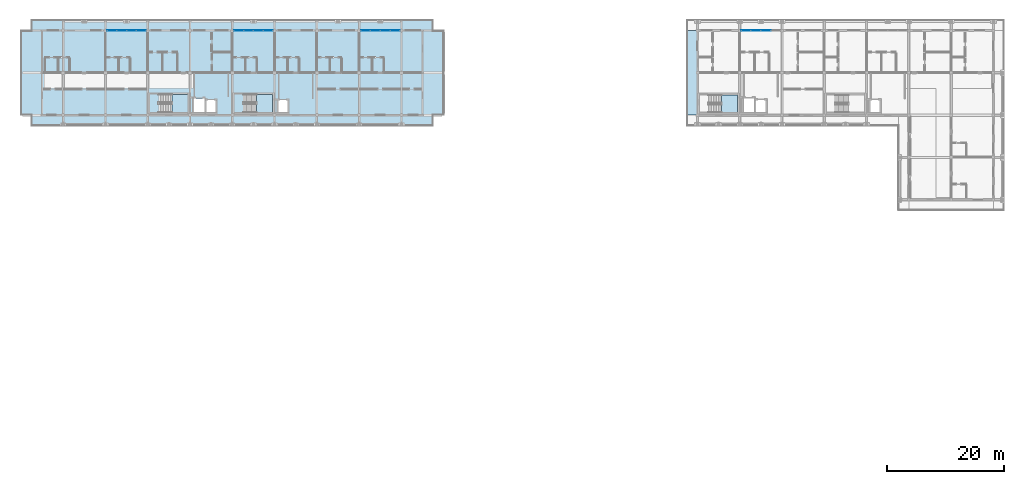
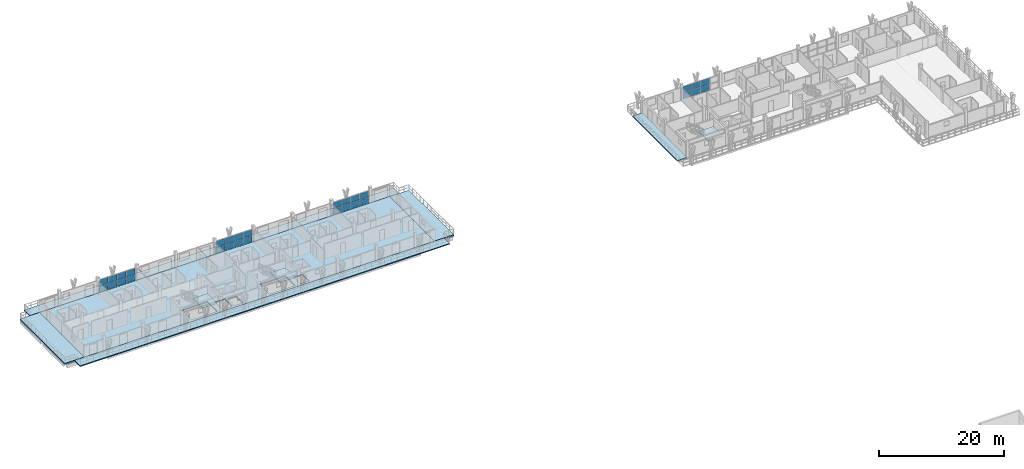
# One storey, part 23 of 45: 30 plates, 9 slabs, 7 elements without a shape of their own.
"""IFC4 building model written with IfcOpenShell, lengths in metres."""

import ifcopenshell
import ifcopenshell.guid

model = None  # the IFC model being written
_history = None  # IfcOwnerHistory: only IFC2X3 demands one
_inside = {}  # id of a spatial element -> (the spatial element, [elements in it])
_under = {}  # id of a project, library or spatial element -> (it, [spatial elements below it])
_declared = {}  # id of a project -> (the project, [libraries it declares])
_typed = {}  # id of a type object -> (the type object, [elements of that type])
_made_of = {}  # id of a material, layer set ... -> (it, [elements and type objects made of it])


def new_model(schema):
    """Start an empty IFC model of exactly this schema.

    Asked for "IFC4X3", IfcOpenShell would pick the latest addendum, in which some entities
    have other attributes; the version numbers below select the first issue.
    IFC2X3 requires an IfcOwnerHistory on every rooted entity: one is made here for all.
    """
    global model, _history
    if schema == "IFC4X3":
        model = ifcopenshell.file(schema_version=(4, 3, 0, 0))
    else:
        model = ifcopenshell.file(schema=schema)
    _inside.clear()
    _under.clear()
    _declared.clear()
    _typed.clear()
    _made_of.clear()
    _history = None
    if model.schema == "IFC2X3":
        org = make("IfcOrganization", Name="unknown")
        user = make(
            "IfcPersonAndOrganization",
            ThePerson=make("IfcPerson", FamilyName="unknown"),
            TheOrganization=org,
        )
        app = make(
            "IfcApplication",
            ApplicationDeveloper=org,
            Version="unknown",
            ApplicationFullName="unknown",
            ApplicationIdentifier="unknown",
        )
        _history = make(
            "IfcOwnerHistory",
            OwningUser=user,
            OwningApplication=app,
            ChangeAction="ADDED",
            CreationDate=0,
        )
    return model


def make(cls, **values):
    """One entity of the class cls with the attributes given. An attribute that is None is left unset."""
    return model.create_entity(
        cls, **{name: value for name, value in values.items() if value is not None}
    )


def rooted(cls, **values):
    """An entity with a GlobalId (a new one), such as an element, a storey or a relation."""
    return make(cls, GlobalId=ifcopenshell.guid.new(), OwnerHistory=_history, **values)


def si_unit(unit_type, name, prefix=None):
    """IfcSIUnit, for example si_unit("LENGTHUNIT", "METRE", prefix="MILLI")."""
    return make("IfcSIUnit", UnitType=unit_type, Prefix=prefix, Name=name)


def assignment(units):
    """IfcUnitAssignment: the units of a project."""
    return None if units is None else make("IfcUnitAssignment", Units=units)


def point(xyz):
    """IfcCartesianPoint."""
    return None if xyz is None else make("IfcCartesianPoint", Coordinates=xyz)


def direction(xyz):
    """IfcDirection."""
    return None if xyz is None else make("IfcDirection", DirectionRatios=xyz)


def frame(location, z_axis=None, x_axis=None):
    """IfcAxis2Placement3D, a coordinate frame: its origin and axes. An axis left out is left unset."""
    return make(
        "IfcAxis2Placement3D",
        Location=point(location),
        Axis=direction(z_axis),
        RefDirection=direction(x_axis),
    )


def frame_2d(location, x_axis=None):
    """IfcAxis2Placement2D, a coordinate frame in the plane: its origin and x axis."""
    return make(
        "IfcAxis2Placement2D", Location=point(location), RefDirection=direction(x_axis)
    )


def origin():
    """The frame at (0, 0, 0) with its axes left unset."""
    return frame((0.0, 0.0, 0.0))


def origin_2d():
    """The frame at (0, 0) in the plane with its x axis left unset."""
    return frame_2d((0.0, 0.0))


def place(relative_to, where):
    """IfcLocalPlacement: puts the frame where relative to a parent placement (None: the world)."""
    return make(
        "IfcLocalPlacement", PlacementRelTo=relative_to, RelativePlacement=where
    )


def context(
    kind, dimensions, precision=None, world=None, true_north=None, identifier=None
):
    """IfcGeometricRepresentationContext, for example the 3D "Model" context."""
    return make(
        "IfcGeometricRepresentationContext",
        ContextIdentifier=identifier,
        ContextType=kind,
        CoordinateSpaceDimension=dimensions,
        Precision=precision,
        WorldCoordinateSystem=world,
        TrueNorth=true_north,
    )


def subcontext(parent, identifier, kind, view, scale=None):
    """IfcGeometricRepresentationSubContext, for example "Body" below "Model"."""
    return make(
        "IfcGeometricRepresentationSubContext",
        ContextIdentifier=identifier,
        ContextType=kind,
        ParentContext=parent,
        TargetScale=scale,
        TargetView=view,
    )


def project(units=None, contexts=None):
    """IfcProject with its units and contexts."""
    return rooted(
        "IfcProject",
        Name="project",
        RepresentationContexts=contexts,
        UnitsInContext=assignment(units),
    )


def spatial(cls, under=None, at=None, **own):
    """A site, building, storey or space (cls), placed at a placement, below another one or the project."""
    s = rooted(cls, ObjectPlacement=at, **own)
    if under is not None:
        _under.setdefault(under.id(), (under, []))[1].append(s)
    return s


def polyline(points):
    """IfcPolyline through the points."""
    return make("IfcPolyline", Points=[point(p) for p in points])


def profile(cls, at=None, kind="AREA", **sizes):
    """A parametric profile (cls). Its sizes go by their IFC names, for example OverallWidth=200.0."""
    return make(cls, ProfileType=kind, Position=at, **sizes)


def rectangle(**sizes):
    """IfcRectangleProfileDef."""
    return profile("IfcRectangleProfileDef", **sizes)


def outline(outer, holes=None, kind="AREA"):
    """IfcArbitraryClosedProfileDef: a profile drawn as a closed curve; with holes, ...WithVoids."""
    if holes is None:
        return make("IfcArbitraryClosedProfileDef", ProfileType=kind, OuterCurve=outer)
    return make(
        "IfcArbitraryProfileDefWithVoids",
        ProfileType=kind,
        OuterCurve=outer,
        InnerCurves=holes,
    )


def extrude(swept, where, along, depth):
    """IfcExtrudedAreaSolid: the profile swept, set in the frame where, extruded along a direction by depth."""
    return make(
        "IfcExtrudedAreaSolid",
        SweptArea=swept,
        Position=where,
        ExtrudedDirection=direction(along),
        Depth=depth,
    )


def shape(context_of_items, identifier, shape_type, items):
    """IfcShapeRepresentation: the items that make up one representation, for example the "Body"."""
    return make(
        "IfcShapeRepresentation",
        ContextOfItems=context_of_items,
        RepresentationIdentifier=identifier,
        RepresentationType=shape_type,
        Items=items,
    )


def material(Name=None, Category=None):
    """IfcMaterial."""
    return make("IfcMaterial", Name=Name, Category=Category)


def layer(
    of_material, thickness, ventilated=None, Name=None, Category=None, Priority=None
):
    """IfcMaterialLayer: one layer of a wall or slab, of a material (None: an air gap)."""
    return make(
        "IfcMaterialLayer",
        Material=of_material,
        LayerThickness=thickness,
        IsVentilated=ventilated,
        Name=Name,
        Category=Category,
        Priority=Priority,
    )


def layer_set(layers, Name=None):
    """IfcMaterialLayerSet."""
    return make("IfcMaterialLayerSet", MaterialLayers=layers, LayerSetName=Name)


def made_of(thing, what):
    """Note that an element or type object is made of a material, layer set ...; save() writes the relation."""
    if what is not None:
        _made_of.setdefault(what.id(), (what, []))[1].append(thing)
    return thing


def type_object(cls, material=None, **own):
    """A type object (cls), such as IfcWallType, which elements share."""
    return made_of(rooted(cls, **own), material)


def element(
    cls,
    number,
    at=None,
    inside=None,
    cuts=None,
    type_object=None,
    material=None,
    context=None,
    identifier="Body",
    shape_type=None,
    held_by="IfcProductDefinitionShape",
    body=None,
    shapes=None,
    **own,
):
    """One element of the class cls, such as IfcWall. Its Tag is "e" and its number.

    at: its placement. inside: the storey or other place that contains it. cuts: it is an
    opening in that element (IfcRelVoidsElement). A single representation is given by context,
    identifier, shape_type and body (its items); several are given by shapes. held_by: the class
    of the entity that holds the representations. save() writes the other relations.
    """
    e = rooted(cls, Tag="e%d" % number, ObjectPlacement=at, **own)
    if body is not None:
        shapes = [shape(context, identifier, shape_type, body)]
    if shapes is not None:
        e.Representation = make(held_by, Representations=shapes)
    if inside is not None:
        _inside.setdefault(inside.id(), (inside, []))[1].append(e)
    if cuts is not None:
        rooted(
            "IfcRelVoidsElement", RelatingBuildingElement=cuts, RelatedOpeningElement=e
        )
    if type_object is not None:
        _typed.setdefault(type_object.id(), (type_object, []))[1].append(e)
    return made_of(e, material)


def aggregate(whole, parts):
    """IfcRelAggregates: a whole, such as a stair, and the parts it consists of."""
    return rooted("IfcRelAggregates", RelatingObject=whole, RelatedObjects=parts)


def save(model, path):
    """Write the relations noted so far, then the file.

    IfcRelAggregates (storeys below a building ...), IfcRelContainedInSpatialStructure (elements
    in a storey), IfcRelDefinesByType, IfcRelAssociatesMaterial and IfcRelDeclares: one each for
    every whole, place, type object, material and project.
    """
    for whole, parts in _under.values():
        aggregate(whole, parts)
    for where, things in _inside.values():
        rooted(
            "IfcRelContainedInSpatialStructure",
            RelatedElements=things,
            RelatingStructure=where,
        )
    for kind, things in _typed.values():
        rooted("IfcRelDefinesByType", RelatedObjects=things, RelatingType=kind)
    for what, things in _made_of.values():
        rooted("IfcRelAssociatesMaterial", RelatedObjects=things, RelatingMaterial=what)
    for by, libraries in _declared.values():
        rooted("IfcRelDeclares", RelatingContext=by, RelatedDefinitions=libraries)
    model.write(path)


model = new_model("IFC4")

# Units and contexts
model_context = context("Model", 3, precision=1e-05, world=origin(), true_north=direction((0.0, 1.0)))
body_context = subcontext(model_context, "Body", "Model", "MODEL_VIEW")
ifc_project = project(units=[si_unit("LENGTHUNIT", "METRE"), si_unit("AREAUNIT", "SQUARE_METRE"), si_unit("VOLUMEUNIT", "CUBIC_METRE"), si_unit("PLANEANGLEUNIT", "RADIAN"), si_unit("MASSUNIT", "GRAM", prefix="KILO")], contexts=[model_context])

# Site, building, storey
site_placement = place(None, origin())
site = spatial("IfcSite", under=ifc_project, at=site_placement, CompositionType="ELEMENT")
building_placement = place(site_placement, origin())
building = spatial("IfcBuilding", under=site, at=building_placement, Name="Suanplinth Sawtooth Commons", CompositionType="ELEMENT")
storey_placement = place(building_placement, frame((0.0, 0.0, 38.0)))
storey = spatial("IfcBuildingStorey", under=building, at=storey_placement, Name="L11", CompositionType="ELEMENT", Elevation=38.0)

# Curtain wall, plates
ifc_material_1 = material(Name="Anodized aluminium and low-E glazing", Category="aluminium")
curtain_wall_type = type_object("IfcCurtainWallType", Name="CW-06", PredefinedType="USERDEFINED", material=ifc_material_1)
curtain_wall_1_placement = place(storey_placement, origin())
curtain_wall_1 = element("IfcCurtainWall", 1, at=curtain_wall_1_placement, inside=storey, type_object=curtain_wall_type, Name="Curtain Wall CW-L11-A-LOUNGE-2", ObjectType="CURTAIN WALL", PredefinedType="USERDEFINED")
ifc_material_2 = material(Name="Tempered low-E double glazing", Category="glass")
ifc_layer_1 = layer(ifc_material_2, 0.028076171875, Name="Vision low-E insulated glazing unit 28mm")
ifc_layer_set_1 = layer_set([ifc_layer_1], Name="Tempered low-E double glazing")
plate_type = type_object("IfcPlateType", Name="PL-05", PredefinedType="CURTAIN_PANEL", material=ifc_layer_set_1)
plate_1_placement = place(storey_placement, frame((37.103759765625, 122.39990234375, 0.06494140625), z_axis=(0.0, 0.0, 1.0), x_axis=(1.0, 0.0, 0.0)))
plate_1 = element("IfcPlate", 2, at=plate_1_placement, type_object=plate_type, Name="CW-06 panel 1.1", PredefinedType="CURTAIN_PANEL", context=body_context, shape_type="SweptSolid", body=[
    extrude(rectangle(XDim=1.577392578125, YDim=0.028076171875, at=origin_2d()), origin(), (0.0, 0.0, 1.0), 1.172607421875),
])
plate_2_placement = place(storey_placement, frame((37.103759765625, 122.39990234375, 1.30224609375), z_axis=(0.0, 0.0, 1.0), x_axis=(1.0, 0.0, 0.0)))
plate_2 = element("IfcPlate", 3, at=plate_2_placement, type_object=plate_type, Name="CW-06 panel 1.2", PredefinedType="CURTAIN_PANEL", context=body_context, shape_type="SweptSolid", body=[
    extrude(rectangle(XDim=1.577392578125, YDim=0.028076171875, at=origin_2d()), origin(), (0.0, 0.0, 1.0), 1.172607421875),
])
plate_3_placement = place(storey_placement, frame((38.762451171875, 122.39990234375, 0.06494140625), z_axis=(0.0, 0.0, 1.0), x_axis=(1.0, 0.0, 0.0)))
plate_3 = element("IfcPlate", 4, at=plate_3_placement, type_object=plate_type, Name="CW-06 panel 2.1", PredefinedType="CURTAIN_PANEL", context=body_context, shape_type="SweptSolid", body=[
    extrude(rectangle(XDim=1.610107421875, YDim=0.028076171875, at=origin_2d()), origin(), (0.0, 0.0, 1.0), 1.172607421875),
])
plate_4_placement = place(storey_placement, frame((38.762451171875, 122.39990234375, 1.30224609375), z_axis=(0.0, 0.0, 1.0), x_axis=(1.0, 0.0, 0.0)))
plate_4 = element("IfcPlate", 5, at=plate_4_placement, type_object=plate_type, Name="CW-06 panel 2.2", PredefinedType="CURTAIN_PANEL", context=body_context, shape_type="SweptSolid", body=[
    extrude(rectangle(XDim=1.610107421875, YDim=0.028076171875, at=origin_2d()), origin(), (0.0, 0.0, 1.0), 1.172607421875),
])
plate_5_placement = place(storey_placement, frame((40.4375, 122.39990234375, 0.06494140625), z_axis=(0.0, 0.0, 1.0), x_axis=(1.0, 0.0, 0.0)))
plate_5 = element("IfcPlate", 6, at=plate_5_placement, type_object=plate_type, Name="CW-06 panel 3.1", PredefinedType="CURTAIN_PANEL", context=body_context, shape_type="SweptSolid", body=[
    extrude(rectangle(XDim=1.610107421875, YDim=0.028076171875, at=origin_2d()), origin(), (0.0, 0.0, 1.0), 1.172607421875),
])
plate_6_placement = place(storey_placement, frame((40.4375, 122.39990234375, 1.30224609375), z_axis=(0.0, 0.0, 1.0), x_axis=(1.0, 0.0, 0.0)))
plate_6 = element("IfcPlate", 7, at=plate_6_placement, type_object=plate_type, Name="CW-06 panel 3.2", PredefinedType="CURTAIN_PANEL", context=body_context, shape_type="SweptSolid", body=[
    extrude(rectangle(XDim=1.610107421875, YDim=0.028076171875, at=origin_2d()), origin(), (0.0, 0.0, 1.0), 1.172607421875),
])
plate_7_placement = place(storey_placement, frame((42.09619140625, 122.39990234375, 0.06494140625), z_axis=(0.0, 0.0, 1.0), x_axis=(1.0, 0.0, 0.0)))
plate_7 = element("IfcPlate", 8, at=plate_7_placement, type_object=plate_type, Name="CW-06 panel 4.1", PredefinedType="CURTAIN_PANEL", context=body_context, shape_type="SweptSolid", body=[
    extrude(rectangle(XDim=1.577392578125, YDim=0.028076171875, at=origin_2d()), origin(), (0.0, 0.0, 1.0), 1.172607421875),
])
plate_8_placement = place(storey_placement, frame((42.09619140625, 122.39990234375, 1.30224609375), z_axis=(0.0, 0.0, 1.0), x_axis=(1.0, 0.0, 0.0)))
plate_8 = element("IfcPlate", 9, at=plate_8_placement, type_object=plate_type, Name="CW-06 panel 4.2", PredefinedType="CURTAIN_PANEL", context=body_context, shape_type="SweptSolid", body=[
    extrude(rectangle(XDim=1.577392578125, YDim=0.028076171875, at=origin_2d()), origin(), (0.0, 0.0, 1.0), 1.172607421875),
])
aggregate(curtain_wall_1, [plate_1, plate_2, plate_3, plate_4, plate_5, plate_6, plate_7, plate_8])

curtain_wall_2_placement = place(storey_placement, origin())
curtain_wall_2 = element("IfcCurtainWall", 10, at=curtain_wall_2_placement, inside=storey, type_object=curtain_wall_type, Name="Curtain Wall CW-L11-A-LOUNGE-5", ObjectType="CURTAIN WALL", PredefinedType="USERDEFINED")
plate_9_placement = place(storey_placement, frame((58.703857421875, 122.39990234375, 0.06494140625), z_axis=(0.0, 0.0, 1.0), x_axis=(1.0, 0.0, 0.0)))
plate_9 = element("IfcPlate", 11, at=plate_9_placement, type_object=plate_type, Name="CW-06 panel 1.1", PredefinedType="CURTAIN_PANEL", context=body_context, shape_type="SweptSolid", body=[
    extrude(rectangle(XDim=1.577392578125, YDim=0.028076171875, at=origin_2d()), origin(), (0.0, 0.0, 1.0), 1.172607421875),
])
plate_10_placement = place(storey_placement, frame((58.703857421875, 122.39990234375, 1.30224609375), z_axis=(0.0, 0.0, 1.0), x_axis=(1.0, 0.0, 0.0)))
plate_10 = element("IfcPlate", 12, at=plate_10_placement, type_object=plate_type, Name="CW-06 panel 1.2", PredefinedType="CURTAIN_PANEL", context=body_context, shape_type="SweptSolid", body=[
    extrude(rectangle(XDim=1.577392578125, YDim=0.028076171875, at=origin_2d()), origin(), (0.0, 0.0, 1.0), 1.172607421875),
])
plate_11_placement = place(storey_placement, frame((60.362548828125, 122.39990234375, 0.06494140625), z_axis=(0.0, 0.0, 1.0), x_axis=(1.0, 0.0, 0.0)))
plate_11 = element("IfcPlate", 13, at=plate_11_placement, type_object=plate_type, Name="CW-06 panel 2.1", PredefinedType="CURTAIN_PANEL", context=body_context, shape_type="SweptSolid", body=[
    extrude(rectangle(XDim=1.610107421875, YDim=0.028076171875, at=origin_2d()), origin(), (0.0, 0.0, 1.0), 1.172607421875),
])
plate_12_placement = place(storey_placement, frame((60.362548828125, 122.39990234375, 1.30224609375), z_axis=(0.0, 0.0, 1.0), x_axis=(1.0, 0.0, 0.0)))
plate_12 = element("IfcPlate", 14, at=plate_12_placement, type_object=plate_type, Name="CW-06 panel 2.2", PredefinedType="CURTAIN_PANEL", context=body_context, shape_type="SweptSolid", body=[
    extrude(rectangle(XDim=1.610107421875, YDim=0.028076171875, at=origin_2d()), origin(), (0.0, 0.0, 1.0), 1.172607421875),
])
plate_13_placement = place(storey_placement, frame((62.03759765625, 122.39990234375, 0.06494140625), z_axis=(0.0, 0.0, 1.0), x_axis=(1.0, 0.0, 0.0)))
plate_13 = element("IfcPlate", 15, at=plate_13_placement, type_object=plate_type, Name="CW-06 panel 3.1", PredefinedType="CURTAIN_PANEL", context=body_context, shape_type="SweptSolid", body=[
    extrude(rectangle(XDim=1.610107421875, YDim=0.028076171875, at=origin_2d()), origin(), (0.0, 0.0, 1.0), 1.172607421875),
])
plate_14_placement = place(storey_placement, frame((62.03759765625, 122.39990234375, 1.30224609375), z_axis=(0.0, 0.0, 1.0), x_axis=(1.0, 0.0, 0.0)))
plate_14 = element("IfcPlate", 16, at=plate_14_placement, type_object=plate_type, Name="CW-06 panel 3.2", PredefinedType="CURTAIN_PANEL", context=body_context, shape_type="SweptSolid", body=[
    extrude(rectangle(XDim=1.610107421875, YDim=0.028076171875, at=origin_2d()), origin(), (0.0, 0.0, 1.0), 1.172607421875),
])
plate_15_placement = place(storey_placement, frame((63.6962890625, 122.39990234375, 0.06494140625), z_axis=(0.0, 0.0, 1.0), x_axis=(1.0, 0.0, 0.0)))
plate_15 = element("IfcPlate", 17, at=plate_15_placement, type_object=plate_type, Name="CW-06 panel 4.1", PredefinedType="CURTAIN_PANEL", context=body_context, shape_type="SweptSolid", body=[
    extrude(rectangle(XDim=1.577392578125, YDim=0.028076171875, at=origin_2d()), origin(), (0.0, 0.0, 1.0), 1.172607421875),
])
plate_16_placement = place(storey_placement, frame((63.6962890625, 122.39990234375, 1.30224609375), z_axis=(0.0, 0.0, 1.0), x_axis=(1.0, 0.0, 0.0)))
plate_16 = element("IfcPlate", 18, at=plate_16_placement, type_object=plate_type, Name="CW-06 panel 4.2", PredefinedType="CURTAIN_PANEL", context=body_context, shape_type="SweptSolid", body=[
    extrude(rectangle(XDim=1.577392578125, YDim=0.028076171875, at=origin_2d()), origin(), (0.0, 0.0, 1.0), 1.172607421875),
])
aggregate(curtain_wall_2, [plate_9, plate_10, plate_11, plate_12, plate_13, plate_14, plate_15, plate_16])

curtain_wall_3_placement = place(storey_placement, origin())
curtain_wall_3 = element("IfcCurtainWall", 19, at=curtain_wall_3_placement, inside=storey, type_object=curtain_wall_type, Name="Curtain Wall CW-L11-A-LOUNGE-8", ObjectType="CURTAIN WALL", PredefinedType="USERDEFINED")
plate_17_placement = place(storey_placement, frame((80.3037109375, 122.39990234375, 0.06494140625), z_axis=(0.0, 0.0, 1.0), x_axis=(1.0, 0.0, 0.0)))
plate_17 = element("IfcPlate", 20, at=plate_17_placement, type_object=plate_type, Name="CW-06 panel 1.1", PredefinedType="CURTAIN_PANEL", context=body_context, shape_type="SweptSolid", body=[
    extrude(rectangle(XDim=1.577392578125, YDim=0.028076171875, at=origin_2d()), origin(), (0.0, 0.0, 1.0), 1.172607421875),
])
plate_18_placement = place(storey_placement, frame((80.3037109375, 122.39990234375, 1.30224609375), z_axis=(0.0, 0.0, 1.0), x_axis=(1.0, 0.0, 0.0)))
plate_18 = element("IfcPlate", 21, at=plate_18_placement, type_object=plate_type, Name="CW-06 panel 1.2", PredefinedType="CURTAIN_PANEL", context=body_context, shape_type="SweptSolid", body=[
    extrude(rectangle(XDim=1.577392578125, YDim=0.028076171875, at=origin_2d()), origin(), (0.0, 0.0, 1.0), 1.172607421875),
])
plate_19_placement = place(storey_placement, frame((81.96240234375, 122.39990234375, 0.06494140625), z_axis=(0.0, 0.0, 1.0), x_axis=(1.0, 0.0, 0.0)))
plate_19 = element("IfcPlate", 22, at=plate_19_placement, type_object=plate_type, Name="CW-06 panel 2.1", PredefinedType="CURTAIN_PANEL", context=body_context, shape_type="SweptSolid", body=[
    extrude(rectangle(XDim=1.610107421875, YDim=0.028076171875, at=origin_2d()), origin(), (0.0, 0.0, 1.0), 1.172607421875),
])
plate_20_placement = place(storey_placement, frame((81.96240234375, 122.39990234375, 1.30224609375), z_axis=(0.0, 0.0, 1.0), x_axis=(1.0, 0.0, 0.0)))
plate_20 = element("IfcPlate", 23, at=plate_20_placement, type_object=plate_type, Name="CW-06 panel 2.2", PredefinedType="CURTAIN_PANEL", context=body_context, shape_type="SweptSolid", body=[
    extrude(rectangle(XDim=1.610107421875, YDim=0.028076171875, at=origin_2d()), origin(), (0.0, 0.0, 1.0), 1.172607421875),
])
plate_21_placement = place(storey_placement, frame((83.637451171875, 122.39990234375, 0.06494140625), z_axis=(0.0, 0.0, 1.0), x_axis=(1.0, 0.0, 0.0)))
plate_21 = element("IfcPlate", 24, at=plate_21_placement, type_object=plate_type, Name="CW-06 panel 3.1", PredefinedType="CURTAIN_PANEL", context=body_context, shape_type="SweptSolid", body=[
    extrude(rectangle(XDim=1.610107421875, YDim=0.028076171875, at=origin_2d()), origin(), (0.0, 0.0, 1.0), 1.172607421875),
])
plate_22_placement = place(storey_placement, frame((83.637451171875, 122.39990234375, 1.30224609375), z_axis=(0.0, 0.0, 1.0), x_axis=(1.0, 0.0, 0.0)))
plate_22 = element("IfcPlate", 25, at=plate_22_placement, type_object=plate_type, Name="CW-06 panel 3.2", PredefinedType="CURTAIN_PANEL", context=body_context, shape_type="SweptSolid", body=[
    extrude(rectangle(XDim=1.610107421875, YDim=0.028076171875, at=origin_2d()), origin(), (0.0, 0.0, 1.0), 1.172607421875),
])
plate_23_placement = place(storey_placement, frame((85.296142578125, 122.39990234375, 0.06494140625), z_axis=(0.0, 0.0, 1.0), x_axis=(1.0, 0.0, 0.0)))
plate_23 = element("IfcPlate", 26, at=plate_23_placement, type_object=plate_type, Name="CW-06 panel 4.1", PredefinedType="CURTAIN_PANEL", context=body_context, shape_type="SweptSolid", body=[
    extrude(rectangle(XDim=1.577392578125, YDim=0.028076171875, at=origin_2d()), origin(), (0.0, 0.0, 1.0), 1.172607421875),
])
plate_24_placement = place(storey_placement, frame((85.296142578125, 122.39990234375, 1.30224609375), z_axis=(0.0, 0.0, 1.0), x_axis=(1.0, 0.0, 0.0)))
plate_24 = element("IfcPlate", 27, at=plate_24_placement, type_object=plate_type, Name="CW-06 panel 4.2", PredefinedType="CURTAIN_PANEL", context=body_context, shape_type="SweptSolid", body=[
    extrude(rectangle(XDim=1.577392578125, YDim=0.028076171875, at=origin_2d()), origin(), (0.0, 0.0, 1.0), 1.172607421875),
])
aggregate(curtain_wall_3, [plate_17, plate_18, plate_19, plate_20, plate_21, plate_22, plate_23, plate_24])

curtain_wall_4_placement = place(storey_placement, origin())
curtain_wall_4 = element("IfcCurtainWall", 28, at=curtain_wall_4_placement, inside=storey, type_object=curtain_wall_type, Name="Curtain Wall CW-L11-B-LOUNGE-20", ObjectType="CURTAIN WALL", PredefinedType="USERDEFINED")
plate_25_placement = place(storey_placement, frame((145.0849609375, 122.39990234375, 0.06494140625), z_axis=(0.0, 0.0, 1.0), x_axis=(1.0, 0.0, 0.0)))
plate_25 = element("IfcPlate", 29, at=plate_25_placement, type_object=plate_type, Name="CW-06 panel 1.1", PredefinedType="CURTAIN_PANEL", context=body_context, shape_type="SweptSolid", body=[
    extrude(rectangle(XDim=1.590087890625, YDim=0.028076171875, at=origin_2d()), origin(), (0.0, 0.0, 1.0), 1.172607421875),
])
plate_26_placement = place(storey_placement, frame((145.0849609375, 122.39990234375, 1.30224609375), z_axis=(0.0, 0.0, 1.0), x_axis=(1.0, 0.0, 0.0)))
plate_26 = element("IfcPlate", 30, at=plate_26_placement, type_object=plate_type, Name="CW-06 panel 1.2", PredefinedType="CURTAIN_PANEL", context=body_context, shape_type="SweptSolid", body=[
    extrude(rectangle(XDim=1.590087890625, YDim=0.028076171875, at=origin_2d()), origin(), (0.0, 0.0, 1.0), 1.172607421875),
])
plate_27_placement = place(storey_placement, frame((146.75634765625, 122.39990234375, 0.06494140625), z_axis=(0.0, 0.0, 1.0), x_axis=(1.0, 0.0, 0.0)))
plate_27 = element("IfcPlate", 31, at=plate_27_placement, type_object=plate_type, Name="CW-06 panel 2.1", PredefinedType="CURTAIN_PANEL", context=body_context, shape_type="SweptSolid", body=[
    extrude(rectangle(XDim=1.62255859375, YDim=0.028076171875, at=origin_2d()), origin(), (0.0, 0.0, 1.0), 1.172607421875),
])
plate_28_placement = place(storey_placement, frame((146.75634765625, 122.39990234375, 1.30224609375), z_axis=(0.0, 0.0, 1.0), x_axis=(1.0, 0.0, 0.0)))
plate_28 = element("IfcPlate", 32, at=plate_28_placement, type_object=plate_type, Name="CW-06 panel 2.2", PredefinedType="CURTAIN_PANEL", context=body_context, shape_type="SweptSolid", body=[
    extrude(rectangle(XDim=1.62255859375, YDim=0.028076171875, at=origin_2d()), origin(), (0.0, 0.0, 1.0), 1.172607421875),
])
plate_29_placement = place(storey_placement, frame((148.44384765625, 122.39990234375, 0.06494140625), z_axis=(0.0, 0.0, 1.0), x_axis=(1.0, 0.0, 0.0)))
plate_29 = element("IfcPlate", 33, at=plate_29_placement, type_object=plate_type, Name="CW-06 panel 3.1", PredefinedType="CURTAIN_PANEL", context=body_context, shape_type="SweptSolid", body=[
    extrude(rectangle(XDim=1.62255859375, YDim=0.028076171875, at=origin_2d()), origin(), (0.0, 0.0, 1.0), 1.172607421875),
])
plate_30_placement = place(storey_placement, frame((148.44384765625, 122.39990234375, 1.30224609375), z_axis=(0.0, 0.0, 1.0), x_axis=(1.0, 0.0, 0.0)))
plate_30 = element("IfcPlate", 34, at=plate_30_placement, type_object=plate_type, Name="CW-06 panel 3.2", PredefinedType="CURTAIN_PANEL", context=body_context, shape_type="SweptSolid", body=[
    extrude(rectangle(XDim=1.62255859375, YDim=0.028076171875, at=origin_2d()), origin(), (0.0, 0.0, 1.0), 1.172607421875),
])
aggregate(curtain_wall_4, [plate_25, plate_26, plate_27, plate_28, plate_29, plate_30])

# Slabs
ifc_material_3 = material(Name="Precast concrete C40/50", Category="concrete")
ifc_layer_2 = layer(ifc_material_3, 0.179931640625, Name="Wrap-around cantilevered precast balcony slab 180mm")
ifc_layer_set_2 = layer_set([ifc_layer_2], Name="Precast concrete C40/50")
slab_type_1 = type_object("IfcSlabType", Name="S-BL01", PredefinedType="FLOOR", material=ifc_layer_set_2)
slab_1_placement = place(storey_placement, frame((0.0, 0.0, -0.179931640625)))
element("IfcSlab", 35, at=slab_1_placement, inside=storey, type_object=slab_type_1, Name="L11 Block A Wrap-Around Balcony N", PredefinedType="FLOOR", context=body_context, shape_type="SweptSolid", body=[
    extrude(outline(polyline([(23.39990234375, 124.199951171875), (91.800048828125, 124.199951171875), (91.800048828125, 122.39990234375), (23.39990234375, 122.39990234375), (23.39990234375, 124.199951171875)])), origin(), (0.0, 0.0, 1.0), 0.179931640625),
])
slab_2_placement = place(storey_placement, frame((0.0, 0.0, -0.179931640625)))
element("IfcSlab", 36, at=slab_2_placement, inside=storey, type_object=slab_type_1, Name="L11 Block A Wrap-Around Balcony S", PredefinedType="FLOOR", context=body_context, shape_type="SweptSolid", body=[
    extrude(outline(polyline([(91.800048828125, 106.199951171875), (23.39990234375, 106.199951171875), (23.39990234375, 108.0), (91.800048828125, 108.0), (91.800048828125, 106.199951171875)])), origin(), (0.0, 0.0, 1.0), 0.179931640625),
])
slab_3_placement = place(storey_placement, frame((0.0, 0.0, -0.179931640625)))
element("IfcSlab", 37, at=slab_3_placement, inside=storey, type_object=slab_type_1, Name="L11 Block B Wrap-Around Balcony WEND", PredefinedType="FLOOR", context=body_context, shape_type="SweptSolid", body=[
    extrude(outline(polyline([(136.800048828125, 108.0), (135.0, 108.0), (135.0, 122.39990234375), (136.800048828125, 122.39990234375), (136.800048828125, 108.0)])), origin(), (0.0, 0.0, 1.0), 0.179931640625),
])
ifc_layer_3 = layer(ifc_material_3, 0.239990234375, Name="Precast hollow-core + topping floor slab 240mm")
ifc_layer_set_3 = layer_set([ifc_layer_3], Name="Precast concrete C40/50")
slab_type_2 = type_object("IfcSlabType", Name="S-FL02", PredefinedType="FLOOR", material=ifc_layer_set_3)
slab_4_placement = place(storey_placement, frame((0.0, 0.0, -0.239990234375)))
element("IfcSlab", 38, at=slab_4_placement, inside=storey, type_object=slab_type_2, Name="L11 Block A Structural Floor Plate", PredefinedType="FLOOR", context=body_context, shape_type="SweptSolid", body=[
    extrude(outline(polyline([(25.199951171875, 108.0), (90.0, 108.0), (90.0, 122.39990234375), (25.199951171875, 122.39990234375), (25.199951171875, 108.0)]), holes=[polyline([(45.2900390625, 108.449951171875), (50.050048828125, 108.449951171875), (50.050048828125, 111.550048828125), (45.2900390625, 111.550048828125), (45.2900390625, 108.449951171875)]), polyline([(51.050048828125, 108.449951171875), (52.85009765625, 108.449951171875), (52.85009765625, 110.85009765625), (51.050048828125, 110.85009765625), (51.050048828125, 108.449951171875)]), polyline([(53.199951171875, 108.449951171875), (54.800048828125, 108.449951171875), (54.800048828125, 110.550048828125), (53.199951171875, 110.550048828125), (53.199951171875, 108.449951171875)]), polyline([(59.68994140625, 108.449951171875), (64.449951171875, 108.449951171875), (64.449951171875, 111.550048828125), (59.68994140625, 111.550048828125), (59.68994140625, 108.449951171875)]), polyline([(65.449951171875, 108.449951171875), (67.050048828125, 108.449951171875), (67.050048828125, 110.550048828125), (65.449951171875, 110.550048828125), (65.449951171875, 108.449951171875)])]), origin(), (0.0, 0.0, 1.0), 0.239990234375),
])

# Stair, slab
ifc_material_4 = material(Name="Concrete C40/50", Category="concrete")
stair_type_1 = type_object("IfcStairType", Name="ST-03", PredefinedType="USERDEFINED", material=ifc_material_4)
stair_1_placement = place(storey_placement, origin())
stair_1 = element("IfcStair", 39, at=stair_1_placement, inside=storey, type_object=stair_type_1, Name="L11 Exit Stair ST-N1", ObjectType="TWO_RETURN_STAIR", PredefinedType="USERDEFINED")
ifc_layer_4 = layer(ifc_material_4, 0.199951171875, Name="Reinforced concrete stair and ramp landing slab 200mm")
ifc_layer_set_4 = layer_set([ifc_layer_4], Name="Concrete C40/50")
slab_type_3 = type_object("IfcSlabType", Name="S-LD01", PredefinedType="LANDING", material=ifc_layer_set_4)
slab_5_placement = place(storey_placement, frame((0.0, 0.0, 1.39990234375)))
slab_5 = element("IfcSlab", 40, at=slab_5_placement, type_object=slab_type_3, Name="ST-03 landing 1", PredefinedType="LANDING", context=body_context, shape_type="SweptSolid", body=[
    extrude(outline(polyline([(47.330078125, 108.449951171875), (50.050048828125, 108.449951171875), (50.050048828125, 111.550048828125), (47.330078125, 111.550048828125), (47.330078125, 108.449951171875)])), origin(), (0.0, 0.0, 1.0), 0.2001953125),
])
aggregate(stair_1, [slab_5])

stair_2_placement = place(storey_placement, origin())
stair_2 = element("IfcStair", 41, at=stair_2_placement, inside=storey, type_object=stair_type_1, Name="L11 Exit Stair ST-N2", ObjectType="TWO_RETURN_STAIR", PredefinedType="USERDEFINED")
slab_6_placement = place(storey_placement, frame((0.0, 0.0, 1.39990234375)))
slab_6 = element("IfcSlab", 42, at=slab_6_placement, type_object=slab_type_3, Name="ST-03 landing 1", PredefinedType="LANDING", context=body_context, shape_type="SweptSolid", body=[
    extrude(outline(polyline([(61.72998046875, 108.449951171875), (64.449951171875, 108.449951171875), (64.449951171875, 111.550048828125), (61.72998046875, 111.550048828125), (61.72998046875, 108.449951171875)])), origin(), (0.0, 0.0, 1.0), 0.2001953125),
])
aggregate(stair_2, [slab_6])

stair_type_2 = type_object("IfcStairType", Name="ST-07", PredefinedType="USERDEFINED", material=ifc_material_4)
stair_3_placement = place(storey_placement, origin())
stair_3 = element("IfcStair", 43, at=stair_3_placement, inside=storey, type_object=stair_type_2, Name="L11 Exit Stair ST-E1", ObjectType="TWO_RETURN_STAIR", PredefinedType="USERDEFINED")
slab_7_placement = place(storey_placement, frame((0.0, 0.0, 1.39990234375)))
slab_7 = element("IfcSlab", 44, at=slab_7_placement, type_object=slab_type_3, Name="ST-07 landing 1", PredefinedType="LANDING", context=body_context, shape_type="SweptSolid", body=[
    extrude(outline(polyline([(140.929931640625, 108.449951171875), (143.64990234375, 108.449951171875), (143.64990234375, 111.449951171875), (140.929931640625, 111.449951171875), (140.929931640625, 108.449951171875)])), origin(), (0.0, 0.0, 1.0), 0.2001953125),
])
aggregate(stair_3, [slab_7])

# Slabs
ifc_layer_5 = layer(ifc_material_4, 0.239990234375, Name="Stepped sky-terrace & courtyard garden slab 240mm")
ifc_layer_set_5 = layer_set([ifc_layer_5], Name="Concrete C40/50")
slab_type_4 = type_object("IfcSlabType", Name="S-TR01", PredefinedType="FLOOR", material=ifc_layer_set_5)
slab_8_placement = place(storey_placement, frame((0.0, 0.0, -0.239990234375)))
element("IfcSlab", 45, at=slab_8_placement, inside=storey, type_object=slab_type_4, Name="L11 Block A Stepped Sky-Terrace 1", PredefinedType="FLOOR", context=body_context, shape_type="SweptSolid", body=[
    extrude(outline(polyline([(21.60009765625, 108.0), (21.60009765625, 122.39990234375), (25.199951171875, 122.39990234375), (25.199951171875, 108.0), (21.60009765625, 108.0)])), origin(), (0.0, 0.0, 1.0), 0.239990234375),
])
slab_9_placement = place(storey_placement, frame((0.0, 0.0, -0.239990234375)))
element("IfcSlab", 46, at=slab_9_placement, inside=storey, type_object=slab_type_4, Name="L11 Block A Stepped Sky-Terrace 2", PredefinedType="FLOOR", context=body_context, shape_type="SweptSolid", body=[
    extrude(outline(polyline([(93.60009765625, 122.39990234375), (93.60009765625, 108.0), (90.0, 108.0), (90.0, 122.39990234375), (93.60009765625, 122.39990234375)])), origin(), (0.0, 0.0, 1.0), 0.239990234375),
])

save(model, "model.ifc")
